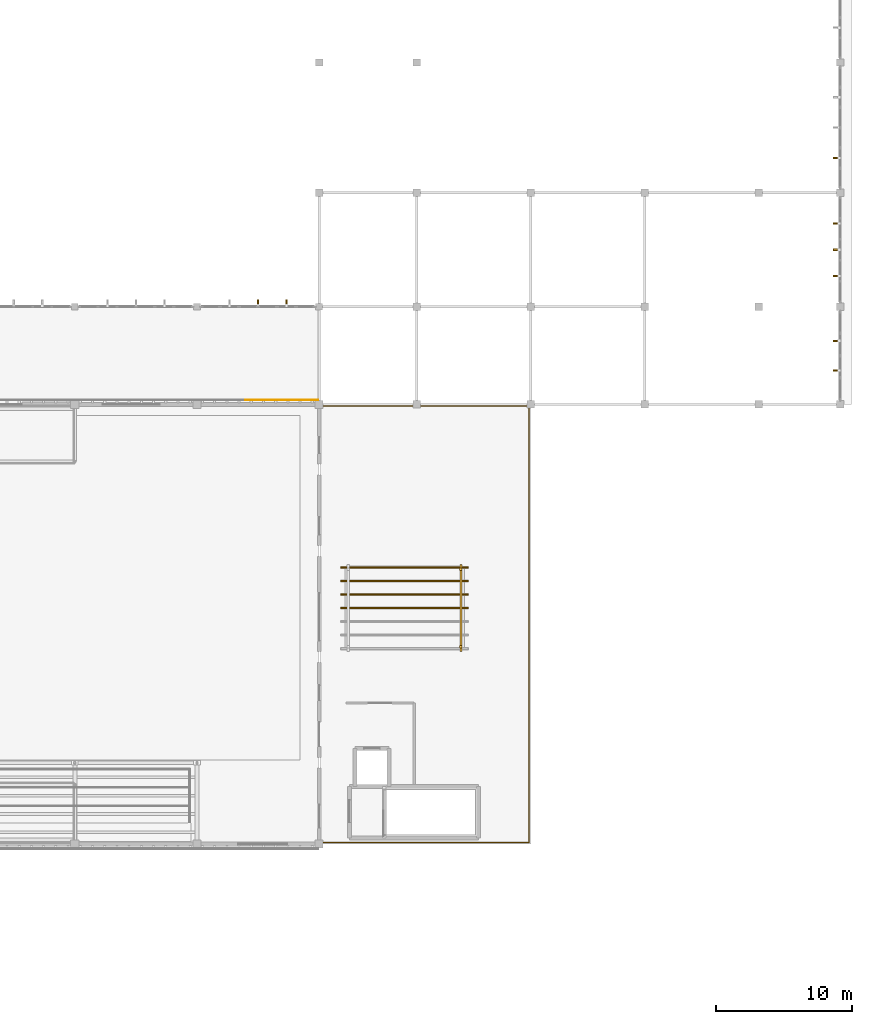
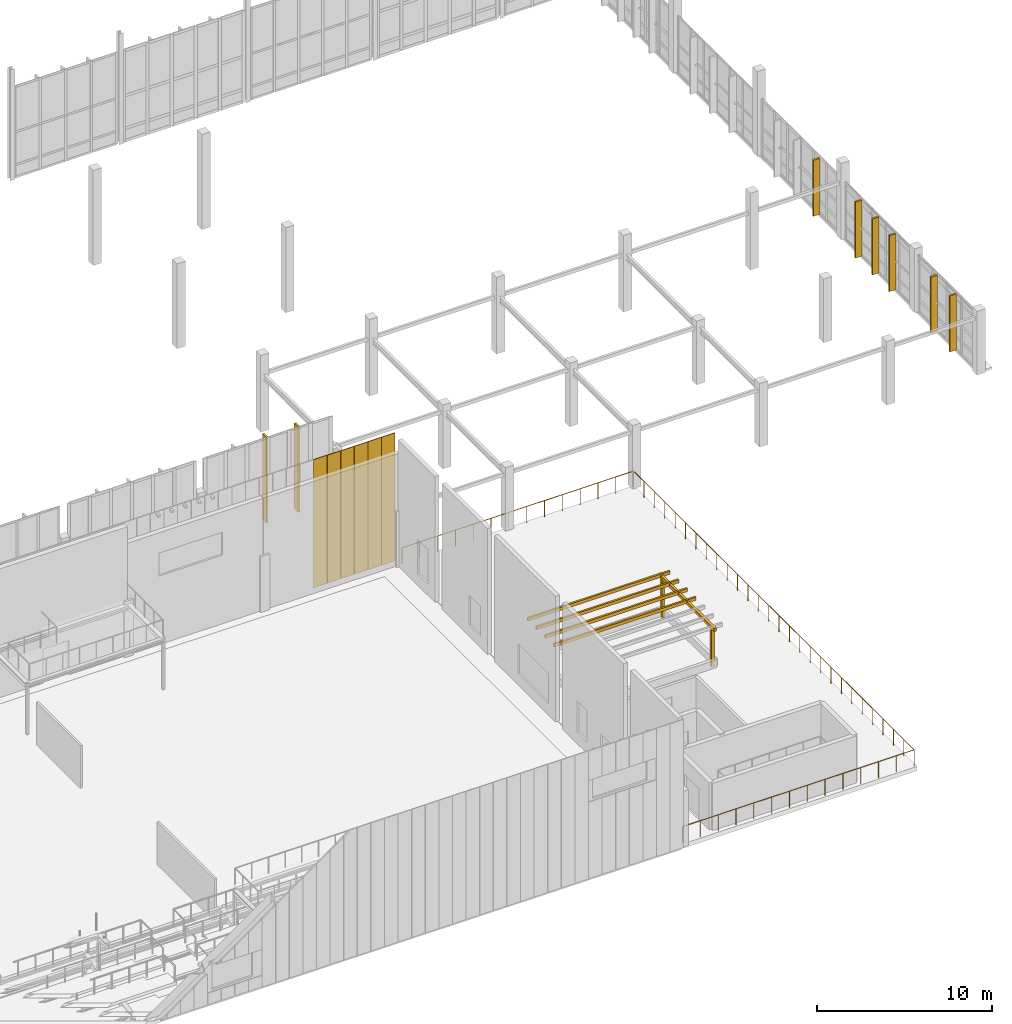
# One storey, part 66 of 67: 21 coverings, 1 railing.
"""IFC4 building model written with IfcOpenShell, lengths in metres."""

from ifc_helpers import new_model, si_unit, direction, frame, origin, origin_2d, place, context, subcontext, project, spatial, rectangle, circle, extrude, material, layer, layer_set, type_object, element, save


model = new_model("IFC4")

# Units and contexts
model_context = context("Model", 3, precision=1e-05, world=origin(), true_north=direction((0.0, 1.0)))
body_context = subcontext(model_context, "Body", "Model", "MODEL_VIEW")
ifc_project = project(units=[si_unit("LENGTHUNIT", "METRE"), si_unit("AREAUNIT", "SQUARE_METRE"), si_unit("VOLUMEUNIT", "CUBIC_METRE"), si_unit("PLANEANGLEUNIT", "RADIAN"), si_unit("MASSUNIT", "GRAM", prefix="KILO")], contexts=[model_context])

# Site, building, storey
site_placement = place(None, origin())
site = spatial("IfcSite", under=ifc_project, at=site_placement, CompositionType="ELEMENT")
building_placement = place(site_placement, origin())
building = spatial("IfcBuilding", under=site, at=building_placement, Name="Tizgana Railside Sports Hall", CompositionType="ELEMENT")
storey_placement = place(building_placement, frame((0.0, 0.0, 12.0)))
storey = spatial("IfcBuildingStorey", under=building, at=storey_placement, Name="L02", CompositionType="ELEMENT", Elevation=12.0)

# Coverings
ifc_material_1 = material(Name="Glulam GL28h", Category="wood")
ifc_layer_1 = layer(ifc_material_1, 0.139892578125, Name="Glulam GL28h")
ifc_layer_set_1 = layer_set([ifc_layer_1], Name="Glulam GL28h")
covering_type_1 = type_object("IfcCoveringType", Name="Mass-Timber Brise-Soleil & Pergola Fin", PredefinedType="CLADDING", material=ifc_layer_set_1)
for number, where, z_axis, x_axis, name in (
    (1, (144.25, 55.35009765625, -0.02001953125), (0.0, 0.0, 1.0), (1.0, 0.0, 0.0), "L02 East Terrace Pergola Post"),
    (2, (144.25, 61.050048828125, -0.02001953125), (0.0, 0.0, 1.0), (1.0, 0.0, 0.0), "L02 East Terrace Pergola Post"),
):
    element("IfcCovering", number, at=place(storey_placement, frame(where, z_axis=z_axis, x_axis=x_axis)), inside=storey, type_object=covering_type_1, Name=name, PredefinedType="CLADDING", context=body_context, shape_type="SweptSolid", body=[
        extrude(rectangle(XDim=0.179931640625, YDim=0.179931640625, at=origin_2d()), origin(), (0.0, 0.0, 1.0), 2.669921875),
    ])
covering_placement = place(storey_placement, frame((144.25, 58.199951171875, 2.6298828125), z_axis=(0.0, 0.0, 1.0), x_axis=(1.0, 0.0, 0.0)))
element("IfcCovering", 3, at=covering_placement, inside=storey, type_object=covering_type_1, Name="L02 East Terrace Pergola Beam", PredefinedType="CLADDING", context=body_context, shape_type="SweptSolid", body=[
    extrude(rectangle(XDim=0.159912109375, YDim=6.39990234375, at=origin_2d()), origin(), (0.0, 0.0, 1.0), 0.219970703125),
])
for number, where, z_axis, x_axis, name in (
    (4, (140.10009765625, 58.199951171875, 2.72021484375), (0.0, 0.0, 1.0), (1.0, 0.0, 0.0), "L02 East Terrace Pergola Rafter"),
    (5, (140.10009765625, 59.199951171875, 2.72021484375), (0.0, 0.0, 1.0), (1.0, 0.0, 0.0), "L02 East Terrace Pergola Rafter"),
    (6, (140.10009765625, 60.199951171875, 2.72021484375), (0.0, 0.0, 1.0), (1.0, 0.0, 0.0), "L02 East Terrace Pergola Rafter"),
    (7, (140.10009765625, 61.199951171875, 2.72021484375), (0.0, 0.0, 1.0), (1.0, 0.0, 0.0), "L02 East Terrace Pergola Rafter"),
):
    element("IfcCovering", number, at=place(storey_placement, frame(where, z_axis=z_axis, x_axis=x_axis)), inside=storey, type_object=covering_type_1, Name=name, PredefinedType="CLADDING", context=body_context, shape_type="SweptSolid", body=[
        extrude(rectangle(XDim=9.39990234375, YDim=0.1201171875, at=origin_2d()), origin(), (0.0, 0.0, 1.0), 0.219970703125),
    ])
for number, where, z_axis, x_axis, name in (
    (8, (129.300048828125, 80.679931640625, 0.0400390625), (0.0, 0.0, 1.0), (1.0, 0.0, 0.0), "L02 Timber Brise-Soleil Fin"),
    (9, (131.3974609375, 80.679931640625, 0.0400390625), (0.0, 0.0, 1.0), (1.0, 0.0, 0.0), "L02 Timber Brise-Soleil Fin"),
):
    element("IfcCovering", number, at=place(storey_placement, frame(where, z_axis=z_axis, x_axis=x_axis)), inside=storey, type_object=covering_type_1, Name=name, PredefinedType="CLADDING", context=body_context, shape_type="SweptSolid", body=[
        extrude(rectangle(XDim=0.1201171875, YDim=0.43994140625, at=origin_2d()), origin(), (0.0, 0.0, 1.0), 5.97998046875),
    ])
for number, where, z_axis, x_axis, name in (
    (10, (171.919921875, 75.7099609375, 0.0400390625), (0.0, 0.0, 1.0), (0.0, 1.0, 0.0), "L02 Timber Brise-Soleil Fin"),
    (11, (171.919921875, 77.889892578125, 0.0400390625), (0.0, 0.0, 1.0), (0.0, 1.0, 0.0), "L02 Timber Brise-Soleil Fin"),
    (12, (171.919921875, 82.6650390625, 0.0400390625), (0.0, 0.0, 1.0), (0.0, 1.0, 0.0), "L02 Timber Brise-Soleil Fin"),
    (13, (171.919921875, 84.60009765625, 0.0400390625), (0.0, 0.0, 1.0), (0.0, 1.0, 0.0), "L02 Timber Brise-Soleil Fin"),
    (14, (171.919921875, 86.534912109375, 0.0400390625), (0.0, 0.0, 1.0), (0.0, 1.0, 0.0), "L02 Timber Brise-Soleil Fin"),
    (15, (171.919921875, 91.364990234375, 0.0400390625), (0.0, 0.0, 1.0), (0.0, 1.0, 0.0), "L02 Timber Brise-Soleil Fin"),
):
    element("IfcCovering", number, at=place(storey_placement, frame(where, z_axis=z_axis, x_axis=x_axis)), inside=storey, type_object=covering_type_1, Name=name, PredefinedType="CLADDING", context=body_context, shape_type="SweptSolid", body=[
        extrude(rectangle(XDim=0.1201171875, YDim=0.43994140625, at=origin_2d()), origin(), (0.0, 0.0, 1.0), 3.919921875),
    ])
ifc_material_2 = material(Name="Anodised perforated aluminium screen", Category="aluminium")
ifc_layer_2 = layer(ifc_material_2, 0.044921875, Name="Anodised perforated aluminium screen")
ifc_layer_set_2 = layer_set([ifc_layer_2], Name="Anodised perforated aluminium screen")
covering_type_2 = type_object("IfcCoveringType", Name="Perforated Aluminium Hall Screen 900", PredefinedType="CLADDING", material=ifc_layer_set_2)
for number, where, z_axis, x_axis, name in (
    (16, (128.802734375, 73.534912109375, 0.02001953125), (0.0, 0.0, 1.0), (1.0, 0.0, 0.0), "L02 Perforated Screen SCR-0415"),
    (17, (129.7021484375, 73.534912109375, 0.02001953125), (0.0, 0.0, 1.0), (1.0, 0.0, 0.0), "L02 Perforated Screen SCR-0416"),
    (18, (130.601806640625, 73.534912109375, 0.02001953125), (0.0, 0.0, 1.0), (1.0, 0.0, 0.0), "L02 Perforated Screen SCR-0417"),
    (19, (131.501220703125, 73.534912109375, 0.02001953125), (0.0, 0.0, 1.0), (1.0, 0.0, 0.0), "L02 Perforated Screen SCR-0418"),
    (20, (132.400634765625, 73.534912109375, 0.02001953125), (0.0, 0.0, 1.0), (1.0, 0.0, 0.0), "L02 Perforated Screen SCR-0419"),
    (21, (133.30029296875, 73.534912109375, 0.02001953125), (0.0, 0.0, 1.0), (1.0, 0.0, 0.0), "L02 Perforated Screen SCR-0420"),
):
    element("IfcCovering", number, at=place(storey_placement, frame(where, z_axis=z_axis, x_axis=x_axis)), inside=storey, type_object=covering_type_2, Name=name, PredefinedType="CLADDING", context=body_context, shape_type="SweptSolid", body=[
        extrude(rectangle(XDim=0.881591796875, YDim=0.044921875, at=origin_2d()), origin(), (0.0, 0.0, 1.0), 8.9599609375),
    ])

# Railing
ifc_material_3 = material(Name="Anodised aluminium", Category="aluminium")
railing_type = type_object("IfcRailingType", Name="Terrace & Track Guard 1150", PredefinedType="BALUSTRADE", material=ifc_material_3)
railing_placement = place(storey_placement, frame((133.949951171875, 40.919921875, 0.0)))
element("IfcRailing", 22, at=railing_placement, inside=storey, type_object=railing_type, Name="L02 Safety Guard GRD-0008", PredefinedType="BALUSTRADE", context=body_context, shape_type="SweptSolid", body=[
    extrude(circle(Radius=0.02392578125, at=origin_2d()), frame((0.0, 0.0, 1.1259765625), z_axis=(1.0, 0.0, 0.0), x_axis=(0.0, 1.0, 0.0)), (0.0, 0.0, 1.0), 15.330078125),
    extrude(circle(Radius=0.02392578125, at=origin_2d()), frame((15.330078125, 0.0, 1.1259765625), z_axis=(0.0, 1.0, 0.0), x_axis=(-1.0, 0.0, 0.0)), (0.0, 0.0, 1.0), 32.16015625),
    extrude(circle(Radius=0.02392578125, at=origin_2d()), frame((15.330078125, 32.16015625, 1.1259765625), z_axis=(-1.0, 0.0, 0.0), x_axis=(0.0, -1.0, 0.0)), (0.0, 0.0, 1.0), 15.330078125),
    extrude(circle(Radius=0.02099609375, at=origin_2d()), origin(), (0.0, 0.0, 1.0), 1.101806640625),
    extrude(circle(Radius=0.02099609375, at=origin_2d()), frame((1.17919921875, 0.0, 0.0)), (0.0, 0.0, 1.0), 1.101806640625),
    extrude(circle(Radius=0.02099609375, at=origin_2d()), frame((2.3583984375, 0.0, 0.0)), (0.0, 0.0, 1.0), 1.101806640625),
    extrude(circle(Radius=0.02099609375, at=origin_2d()), frame((3.53759765625, 0.0, 0.0)), (0.0, 0.0, 1.0), 1.101806640625),
    extrude(circle(Radius=0.02099609375, at=origin_2d()), frame((4.717041015625, 0.0, 0.0)), (0.0, 0.0, 1.0), 1.101806640625),
    extrude(circle(Radius=0.02099609375, at=origin_2d()), frame((5.896240234375, 0.0, 0.0)), (0.0, 0.0, 1.0), 1.101806640625),
    extrude(circle(Radius=0.02099609375, at=origin_2d()), frame((7.075439453125, 0.0, 0.0)), (0.0, 0.0, 1.0), 1.101806640625),
    extrude(circle(Radius=0.02099609375, at=origin_2d()), frame((8.254638671875, 0.0, 0.0)), (0.0, 0.0, 1.0), 1.101806640625),
    extrude(circle(Radius=0.02099609375, at=origin_2d()), frame((9.433837890625, 0.0, 0.0)), (0.0, 0.0, 1.0), 1.101806640625),
    extrude(circle(Radius=0.02099609375, at=origin_2d()), frame((10.613037109375, 0.0, 0.0)), (0.0, 0.0, 1.0), 1.101806640625),
    extrude(circle(Radius=0.02099609375, at=origin_2d()), frame((11.79248046875, 0.0, 0.0)), (0.0, 0.0, 1.0), 1.101806640625),
    extrude(circle(Radius=0.02099609375, at=origin_2d()), frame((12.9716796875, 0.0, 0.0)), (0.0, 0.0, 1.0), 1.101806640625),
    extrude(circle(Radius=0.02099609375, at=origin_2d()), frame((14.15087890625, 0.0, 0.0)), (0.0, 0.0, 1.0), 1.101806640625),
    extrude(circle(Radius=0.02099609375, at=origin_2d()), frame((15.330078125, 0.0, 0.0)), (0.0, 0.0, 1.0), 1.101806640625),
    extrude(circle(Radius=0.02099609375, at=origin_2d()), frame((15.330078125, 1.191162109375, 0.0)), (0.0, 0.0, 1.0), 1.101806640625),
    extrude(circle(Radius=0.02099609375, at=origin_2d()), frame((15.330078125, 2.38232421875, 0.0)), (0.0, 0.0, 1.0), 1.101806640625),
    extrude(circle(Radius=0.02099609375, at=origin_2d()), frame((15.330078125, 3.5732421875, 0.0)), (0.0, 0.0, 1.0), 1.101806640625),
    extrude(circle(Radius=0.02099609375, at=origin_2d()), frame((15.330078125, 4.764404296875, 0.0)), (0.0, 0.0, 1.0), 1.101806640625),
    extrude(circle(Radius=0.02099609375, at=origin_2d()), frame((15.330078125, 5.95556640625, 0.0)), (0.0, 0.0, 1.0), 1.101806640625),
    extrude(circle(Radius=0.02099609375, at=origin_2d()), frame((15.330078125, 7.146728515625, 0.0)), (0.0, 0.0, 1.0), 1.101806640625),
    extrude(circle(Radius=0.02099609375, at=origin_2d()), frame((15.330078125, 8.337890625, 0.0)), (0.0, 0.0, 1.0), 1.101806640625),
    extrude(circle(Radius=0.02099609375, at=origin_2d()), frame((15.330078125, 9.529052734375, 0.0)), (0.0, 0.0, 1.0), 1.101806640625),
    extrude(circle(Radius=0.02099609375, at=origin_2d()), frame((15.330078125, 10.719970703125, 0.0)), (0.0, 0.0, 1.0), 1.101806640625),
    extrude(circle(Radius=0.02099609375, at=origin_2d()), frame((15.330078125, 11.9111328125, 0.0)), (0.0, 0.0, 1.0), 1.101806640625),
    extrude(circle(Radius=0.02099609375, at=origin_2d()), frame((15.330078125, 13.102294921875, 0.0)), (0.0, 0.0, 1.0), 1.101806640625),
    extrude(circle(Radius=0.02099609375, at=origin_2d()), frame((15.330078125, 14.29345703125, 0.0)), (0.0, 0.0, 1.0), 1.101806640625),
    extrude(circle(Radius=0.02099609375, at=origin_2d()), frame((15.330078125, 15.484619140625, 0.0)), (0.0, 0.0, 1.0), 1.101806640625),
    extrude(circle(Radius=0.02099609375, at=origin_2d()), frame((15.330078125, 16.675537109375, 0.0)), (0.0, 0.0, 1.0), 1.101806640625),
    extrude(circle(Radius=0.02099609375, at=origin_2d()), frame((15.330078125, 17.86669921875, 0.0)), (0.0, 0.0, 1.0), 1.101806640625),
    extrude(circle(Radius=0.02099609375, at=origin_2d()), frame((15.330078125, 19.057861328125, 0.0)), (0.0, 0.0, 1.0), 1.101806640625),
    extrude(circle(Radius=0.02099609375, at=origin_2d()), frame((15.330078125, 20.2490234375, 0.0)), (0.0, 0.0, 1.0), 1.101806640625),
    extrude(circle(Radius=0.02099609375, at=origin_2d()), frame((15.330078125, 21.440185546875, 0.0)), (0.0, 0.0, 1.0), 1.101806640625),
    extrude(circle(Radius=0.02099609375, at=origin_2d()), frame((15.330078125, 22.631103515625, 0.0)), (0.0, 0.0, 1.0), 1.101806640625),
    extrude(circle(Radius=0.02099609375, at=origin_2d()), frame((15.330078125, 23.822265625, 0.0)), (0.0, 0.0, 1.0), 1.101806640625),
    extrude(circle(Radius=0.02099609375, at=origin_2d()), frame((15.330078125, 25.013427734375, 0.0)), (0.0, 0.0, 1.0), 1.101806640625),
    extrude(circle(Radius=0.02099609375, at=origin_2d()), frame((15.330078125, 26.20458984375, 0.0)), (0.0, 0.0, 1.0), 1.101806640625),
    extrude(circle(Radius=0.02099609375, at=origin_2d()), frame((15.330078125, 27.395751953125, 0.0)), (0.0, 0.0, 1.0), 1.101806640625),
    extrude(circle(Radius=0.02099609375, at=origin_2d()), frame((15.330078125, 28.5869140625, 0.0)), (0.0, 0.0, 1.0), 1.101806640625),
    extrude(circle(Radius=0.02099609375, at=origin_2d()), frame((15.330078125, 29.77783203125, 0.0)), (0.0, 0.0, 1.0), 1.101806640625),
    extrude(circle(Radius=0.02099609375, at=origin_2d()), frame((15.330078125, 30.968994140625, 0.0)), (0.0, 0.0, 1.0), 1.101806640625),
    extrude(circle(Radius=0.02099609375, at=origin_2d()), frame((15.330078125, 32.16015625, 0.0)), (0.0, 0.0, 1.0), 1.101806640625),
    extrude(circle(Radius=0.02099609375, at=origin_2d()), frame((14.15087890625, 32.16015625, 0.0)), (0.0, 0.0, 1.0), 1.101806640625),
    extrude(circle(Radius=0.02099609375, at=origin_2d()), frame((12.9716796875, 32.16015625, 0.0)), (0.0, 0.0, 1.0), 1.101806640625),
    extrude(circle(Radius=0.02099609375, at=origin_2d()), frame((11.79248046875, 32.16015625, 0.0)), (0.0, 0.0, 1.0), 1.101806640625),
    extrude(circle(Radius=0.02099609375, at=origin_2d()), frame((10.613037109375, 32.16015625, 0.0)), (0.0, 0.0, 1.0), 1.101806640625),
    extrude(circle(Radius=0.02099609375, at=origin_2d()), frame((9.433837890625, 32.16015625, 0.0)), (0.0, 0.0, 1.0), 1.101806640625),
    extrude(circle(Radius=0.02099609375, at=origin_2d()), frame((8.254638671875, 32.16015625, 0.0)), (0.0, 0.0, 1.0), 1.101806640625),
    extrude(circle(Radius=0.02099609375, at=origin_2d()), frame((7.075439453125, 32.16015625, 0.0)), (0.0, 0.0, 1.0), 1.101806640625),
    extrude(circle(Radius=0.02099609375, at=origin_2d()), frame((5.896240234375, 32.16015625, 0.0)), (0.0, 0.0, 1.0), 1.101806640625),
    extrude(circle(Radius=0.02099609375, at=origin_2d()), frame((4.717041015625, 32.16015625, 0.0)), (0.0, 0.0, 1.0), 1.101806640625),
    extrude(circle(Radius=0.02099609375, at=origin_2d()), frame((3.53759765625, 32.16015625, 0.0)), (0.0, 0.0, 1.0), 1.101806640625),
    extrude(circle(Radius=0.02099609375, at=origin_2d()), frame((2.3583984375, 32.16015625, 0.0)), (0.0, 0.0, 1.0), 1.101806640625),
    extrude(circle(Radius=0.02099609375, at=origin_2d()), frame((1.17919921875, 32.16015625, 0.0)), (0.0, 0.0, 1.0), 1.101806640625),
    extrude(circle(Radius=0.02099609375, at=origin_2d()), frame((0.0, 32.16015625, 0.0)), (0.0, 0.0, 1.0), 1.101806640625),
])

save(model, "model.ifc")
